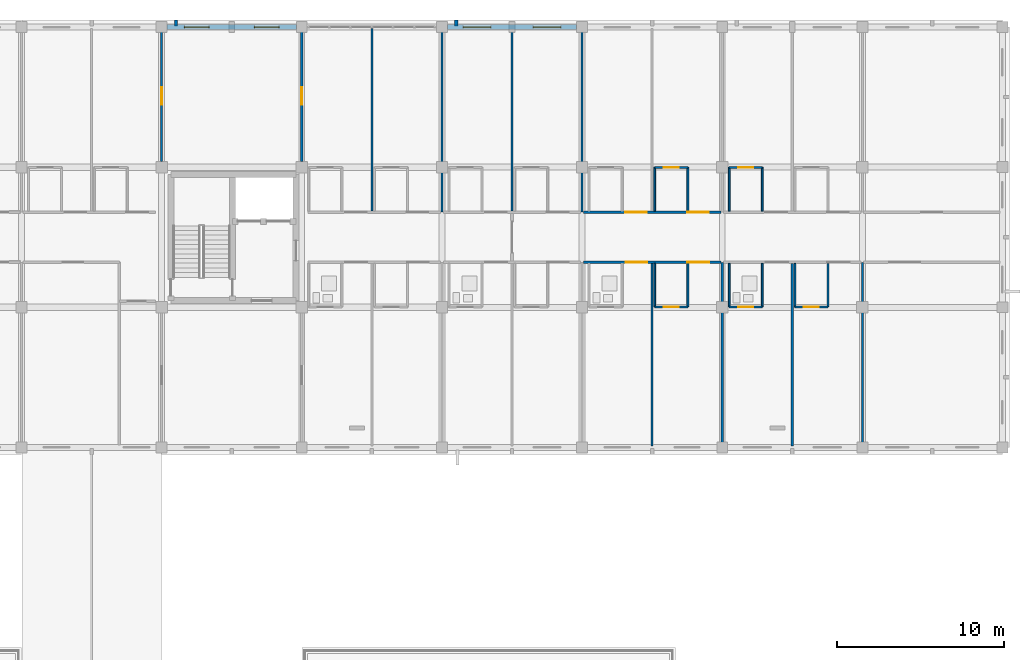
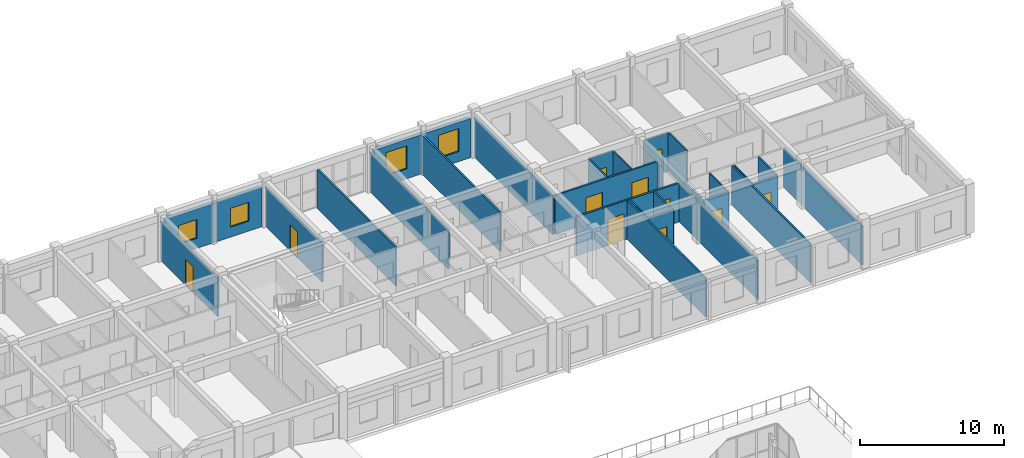
# One storey, part 75 of 90: 31 walls, 11 doors, 4 windows, 15 openings.
"""IFC4 building model written with IfcOpenShell, lengths in metres."""

from ifc_helpers import new_model, si_unit, direction, frame, frame_2d, origin, place, context, subcontext, project, spatial, rectangle, extrude, material, layer, layer_set, type_object, element, fill, save


model = new_model("IFC4")

# Units and contexts
model_context = context("Model", 3, precision=1e-05, world=origin(), true_north=direction((0.0, 1.0)))
body_context = subcontext(model_context, "Body", "Model", "MODEL_VIEW")
ifc_project = project(units=[si_unit("LENGTHUNIT", "METRE"), si_unit("AREAUNIT", "SQUARE_METRE"), si_unit("VOLUMEUNIT", "CUBIC_METRE"), si_unit("PLANEANGLEUNIT", "RADIAN"), si_unit("MASSUNIT", "GRAM", prefix="KILO")], contexts=[model_context])

# Site, building, storey
site_placement = place(None, origin())
site = spatial("IfcSite", under=ifc_project, at=site_placement, CompositionType="ELEMENT")
building_placement = place(site_placement, origin())
building = spatial("IfcBuilding", under=site, at=building_placement, Name="Trelvath General Hospital", CompositionType="ELEMENT")
storey_placement = place(building_placement, frame((0.0, 0.0, 20.39990234375)))
storey = spatial("IfcBuildingStorey", under=building, at=storey_placement, Name="L05", CompositionType="ELEMENT", Elevation=20.39990234375)

# Walls
ifc_material_1 = material(Name="Precast concrete C40/50", Category="concrete")
ifc_layer_1 = layer(ifc_material_1, 0.199951171875)
ifc_layer_set_1 = layer_set([ifc_layer_1], Name="Precast concrete C40/50")
wall_type_1 = type_object("IfcWallType", Name="BriseSoleilRib 200", PredefinedType="ELEMENTEDWALL", material=ifc_layer_set_1)
for number, where, z_axis, x_axis, name in (
    (1, (84.86328125, 117.675048828125, 0.0), (0.0, 0.0, 1.0), (0.0, 1.0, 0.0), "Precast Concrete Brise-Soleil Rib Fin L05-389"),
    (2, (101.6630859375, 117.675048828125, 0.0), (0.0, 0.0, 1.0), (0.0, 1.0, 0.0), "Precast Concrete Brise-Soleil Rib Fin L05-395"),
):
    element("IfcWall", number, at=place(storey_placement, frame(where, z_axis=z_axis, x_axis=x_axis)), inside=storey, type_object=wall_type_1, Name=name, PredefinedType="ELEMENTEDWALL", context=body_context, shape_type="SweptSolid", body=[
        extrude(rectangle(XDim=0.33984375, YDim=0.199951171875, at=frame_2d((0.169921875, 0.0))), origin(), (0.0, 0.0, 1.0), 3.320068359375),
    ])

# Wall, openings, doors
ifc_material_2 = material(Name="Gypsum acoustic steel-stud partition", Category="steel")
ifc_layer_2 = layer(ifc_material_2, 0.14990234375)
ifc_layer_set_2 = layer_set([ifc_layer_2], Name="Gypsum acoustic steel-stud partition")
wall_type_2 = type_object("IfcWallType", Name="ClinicalPartition 150", PredefinedType="PARTITIONING", material=ifc_layer_set_2)
wall_1_placement = place(storey_placement, frame((109.280029296875, 103.5, 0.0), z_axis=(0.0, 0.0, 1.0), x_axis=(1.0, 0.0, 0.0)))
wall_1 = element("IfcWall", 3, at=wall_1_placement, inside=storey, type_object=wall_type_2, Name="Corridor Partition L05-1988", PredefinedType="PARTITIONING", context=body_context, shape_type="SweptSolid", body=[
    extrude(rectangle(XDim=8.239990234375, YDim=0.14990234375, at=frame_2d((4.1201171875, 0.0))), origin(), (0.0, 0.0, 1.0), 3.320068359375),
])
opening_1_placement = place(wall_1_placement, frame((2.530029296875, 0.0, 0.0)))
opening_1 = element("IfcOpeningElement", 4, at=opening_1_placement, cuts=wall_1, Name="Opening D-5-1285", PredefinedType="OPENING", context=body_context, shape_type="SweptSolid", body=[
    extrude(rectangle(XDim=1.300048828125, YDim=2.25, at=frame_2d((0.64990234375, 1.125))), frame((0.0, 0.0849609375, 0.0), z_axis=(0.0, -1.0, 0.0), x_axis=(1.0, 0.0, 0.0)), (0.0, 0.0, 1.0), 0.169921875),
])
opening_2_placement = place(wall_1_placement, frame((6.22998046875, 0.0, 0.0)))
opening_2 = element("IfcOpeningElement", 5, at=opening_2_placement, cuts=wall_1, Name="Opening D-5-1286", PredefinedType="OPENING", context=body_context, shape_type="SweptSolid", body=[
    extrude(rectangle(XDim=1.300048828125, YDim=2.25, at=frame_2d((0.64990234375, 1.125))), frame((0.0, 0.0849609375, 0.0), z_axis=(0.0, -1.0, 0.0), x_axis=(1.0, 0.0, 0.0)), (0.0, 0.0, 1.0), 0.169921875),
])
ifc_material_3 = material(Name="Hospital bed-leaf timber door", Category="wood")
door_type_1 = type_object("IfcDoorType", Name="Door PatientBed 1300x2250", OperationType="NOTDEFINED", PredefinedType="DOOR", material=ifc_material_3)
door_1_placement = place(opening_1_placement, origin())
door_1 = element("IfcDoor", 6, at=door_1_placement, inside=storey, type_object=door_type_1, Name="Patient Room Door L05-1285", OperationType="SINGLE_SWING_RIGHT", OverallHeight=2.25, OverallWidth=1.300048828125, PredefinedType="DOOR", context=body_context, shape_type="SweptSolid", body=[
    extrude(rectangle(XDim=1.300048828125, YDim=2.25, at=frame_2d((0.64990234375, 1.125))), frame((0.0, 0.02490234375, 0.0), z_axis=(0.0, -1.0, 0.0), x_axis=(1.0, 0.0, 0.0)), (0.0, 0.0, 1.0), 0.050048828125),
])
fill(opening_1, door_1)
door_2_placement = place(opening_2_placement, origin())
door_2 = element("IfcDoor", 7, at=door_2_placement, inside=storey, type_object=door_type_1, Name="Patient Room Door L05-1286", OperationType="SINGLE_SWING_LEFT", OverallHeight=2.25, OverallWidth=1.300048828125, PredefinedType="DOOR", context=body_context, shape_type="SweptSolid", body=[
    extrude(rectangle(XDim=1.300048828125, YDim=2.25, at=frame_2d((0.64990234375, 1.125))), frame((0.0, 0.02490234375, 0.0), z_axis=(0.0, -1.0, 0.0), x_axis=(1.0, 0.0, 0.0)), (0.0, 0.0, 1.0), 0.050048828125),
])
fill(opening_2, door_2)

wall_2_placement = place(storey_placement, frame((117.52001953125, 106.5, 0.0), z_axis=(0.0, 0.0, 1.0), x_axis=(-1.0, 0.0, 0.0)))
wall_2 = element("IfcWall", 8, at=wall_2_placement, inside=storey, type_object=wall_type_2, Name="Corridor Partition N L05-1996", PredefinedType="PARTITIONING", context=body_context, shape_type="SweptSolid", body=[
    extrude(rectangle(XDim=8.239990234375, YDim=0.14990234375, at=frame_2d((4.1201171875, 0.0))), origin(), (0.0, 0.0, 1.0), 3.320068359375),
])
opening_3_placement = place(wall_2_placement, frame((0.72998046875, 0.0, 0.0)))
opening_3 = element("IfcOpeningElement", 9, at=opening_3_placement, cuts=wall_2, Name="Opening D-5-1289", PredefinedType="OPENING", context=body_context, shape_type="SweptSolid", body=[
    extrude(rectangle(XDim=1.300048828125, YDim=2.25, at=frame_2d((0.64990234375, 1.125))), frame((0.0, 0.0849609375, 0.0), z_axis=(0.0, -1.0, 0.0), x_axis=(1.0, 0.0, 0.0)), (0.0, 0.0, 1.0), 0.169921875),
])
opening_4_placement = place(wall_2_placement, frame((4.429931640625, 0.0, 0.0)))
opening_4 = element("IfcOpeningElement", 10, at=opening_4_placement, cuts=wall_2, Name="Opening D-5-1290", PredefinedType="OPENING", context=body_context, shape_type="SweptSolid", body=[
    extrude(rectangle(XDim=1.300048828125, YDim=2.25, at=frame_2d((0.64990234375, 1.125))), frame((0.0, 0.0849609375, 0.0), z_axis=(0.0, -1.0, 0.0), x_axis=(1.0, 0.0, 0.0)), (0.0, 0.0, 1.0), 0.169921875),
])
door_3_placement = place(opening_3_placement, origin())
door_3 = element("IfcDoor", 11, at=door_3_placement, inside=storey, type_object=door_type_1, Name="Patient Room Door N L05-1289", OperationType="SINGLE_SWING_RIGHT", OverallHeight=2.25, OverallWidth=1.300048828125, PredefinedType="DOOR", context=body_context, shape_type="SweptSolid", body=[
    extrude(rectangle(XDim=1.300048828125, YDim=2.25, at=frame_2d((0.64990234375, 1.125))), frame((0.0, 0.02490234375, 0.0), z_axis=(0.0, -1.0, 0.0), x_axis=(1.0, 0.0, 0.0)), (0.0, 0.0, 1.0), 0.050048828125),
])
fill(opening_3, door_3)
door_4_placement = place(opening_4_placement, origin())
door_4 = element("IfcDoor", 12, at=door_4_placement, inside=storey, type_object=door_type_1, Name="Patient Room Door N L05-1290", OperationType="SINGLE_SWING_RIGHT", OverallHeight=2.25, OverallWidth=1.300048828125, PredefinedType="DOOR", context=body_context, shape_type="SweptSolid", body=[
    extrude(rectangle(XDim=1.300048828125, YDim=2.25, at=frame_2d((0.64990234375, 1.125))), frame((0.0, 0.02490234375, 0.0), z_axis=(0.0, -1.0, 0.0), x_axis=(1.0, 0.0, 0.0)), (0.0, 0.0, 1.0), 0.050048828125),
])
fill(opening_4, door_4)

# Walls
ifc_material_4 = material(Name="Moisture-resistant tile partition")
ifc_layer_3 = layer(ifc_material_4, 0.110107421875)
ifc_layer_set_3 = layer_set([ifc_layer_3], Name="Moisture-resistant tile partition")
wall_type_3 = type_object("IfcWallType", Name="EnSuiteWetWall 110", PredefinedType="PARTITIONING", material=ifc_layer_set_3)
for number, where, z_axis, x_axis, name in (
    (13, (113.56005859375, 100.820068359375, 0.0), (0.0, 0.0, 1.0), (0.0, 1.0, 0.0), "En-Suite W Wall L05-1993"),
    (14, (115.5400390625, 100.820068359375, 0.0), (0.0, 0.0, 1.0), (0.0, 1.0, 0.0), "En-Suite E Wall L05-1994"),
):
    element("IfcWall", number, at=place(storey_placement, frame(where, z_axis=z_axis, x_axis=x_axis)), inside=storey, type_object=wall_type_3, Name=name, PredefinedType="PARTITIONING", context=body_context, shape_type="SweptSolid", body=[
        extrude(rectangle(XDim=2.60986328125, YDim=0.110107421875, at=frame_2d((1.304931640625, 0.0))), origin(), (0.0, 0.0, 1.0), 3.320068359375),
    ])

# Wall, opening, door
wall_3_placement = place(storey_placement, frame((113.56005859375, 100.820068359375, 0.0), z_axis=(0.0, 0.0, 1.0), x_axis=(1.0, 0.0, 0.0)))
wall_3 = element("IfcWall", 15, at=wall_3_placement, inside=storey, type_object=wall_type_3, Name="En-Suite Bathroom Partition L05-1995", PredefinedType="PARTITIONING", context=body_context, shape_type="SweptSolid", body=[
    extrude(rectangle(XDim=1.97998046875, YDim=0.110107421875, at=frame_2d((0.989990234375, 0.0))), origin(), (0.0, 0.0, 1.0), 3.320068359375),
])
opening_5_placement = place(wall_3_placement, frame((0.5400390625, 0.0, 0.0)))
opening_5 = element("IfcOpeningElement", 16, at=opening_5_placement, cuts=wall_3, Name="Opening D-5-1288", PredefinedType="OPENING", context=body_context, shape_type="SweptSolid", body=[
    extrude(rectangle(XDim=0.89990234375, YDim=2.10009765625, at=frame_2d((0.449951171875, 1.050048828125))), frame((0.0, 0.06494140625, 0.0), z_axis=(0.0, -1.0, 0.0), x_axis=(1.0, 0.0, 0.0)), (0.0, 0.0, 1.0), 0.130126953125),
])
ifc_material_5 = material(Name="Moisture-sealed timber leaf", Category="wood")
door_type_2 = type_object("IfcDoorType", Name="Door EnSuite 900x2100", OperationType="NOTDEFINED", PredefinedType="DOOR", material=ifc_material_5)
door_5_placement = place(opening_5_placement, origin())
door_5 = element("IfcDoor", 17, at=door_5_placement, inside=storey, type_object=door_type_2, Name="En-Suite Bathroom Door L05-1288", OperationType="SINGLE_SWING_LEFT", OverallHeight=2.10009765625, OverallWidth=0.89990234375, PredefinedType="DOOR", context=body_context, shape_type="SweptSolid", body=[
    extrude(rectangle(XDim=0.89990234375, YDim=2.10009765625, at=frame_2d((0.449951171875, 1.050048828125))), frame((0.0, 0.02490234375, 0.0), z_axis=(0.0, -1.0, 0.0), x_axis=(1.0, 0.0, 0.0)), (0.0, 0.0, 1.0), 0.050048828125),
])
fill(opening_5, door_5)

# Walls
for number, where, z_axis, x_axis, name in (
    (18, (113.56005859375, 106.570068359375, 0.0), (0.0, 0.0, 1.0), (0.0, 1.0, 0.0), "En-Suite W Wall N L05-2001"),
    (19, (115.5400390625, 106.570068359375, 0.0), (0.0, 0.0, 1.0), (0.0, 1.0, 0.0), "En-Suite E Wall N L05-2002"),
):
    element("IfcWall", number, at=place(storey_placement, frame(where, z_axis=z_axis, x_axis=x_axis)), inside=storey, type_object=wall_type_3, Name=name, PredefinedType="PARTITIONING", context=body_context, shape_type="SweptSolid", body=[
        extrude(rectangle(XDim=2.60986328125, YDim=0.110107421875, at=frame_2d((1.304931640625, 0.0))), origin(), (0.0, 0.0, 1.0), 3.320068359375),
    ])

# Wall, opening, door
wall_4_placement = place(storey_placement, frame((113.56005859375, 109.179931640625, 0.0), z_axis=(0.0, 0.0, 1.0), x_axis=(1.0, 0.0, 0.0)))
wall_4 = element("IfcWall", 20, at=wall_4_placement, inside=storey, type_object=wall_type_3, Name="En-Suite Bathroom N Partition L05-2003", PredefinedType="PARTITIONING", context=body_context, shape_type="SweptSolid", body=[
    extrude(rectangle(XDim=1.97998046875, YDim=0.110107421875, at=frame_2d((0.989990234375, 0.0))), origin(), (0.0, 0.0, 1.0), 3.320068359375),
])
opening_6_placement = place(wall_4_placement, frame((0.5400390625, 0.0, 0.0)))
opening_6 = element("IfcOpeningElement", 21, at=opening_6_placement, cuts=wall_4, Name="Opening D-5-1292", PredefinedType="OPENING", context=body_context, shape_type="SweptSolid", body=[
    extrude(rectangle(XDim=0.89990234375, YDim=2.10009765625, at=frame_2d((0.449951171875, 1.050048828125))), frame((0.0, 0.06494140625, 0.0), z_axis=(0.0, -1.0, 0.0), x_axis=(1.0, 0.0, 0.0)), (0.0, 0.0, 1.0), 0.130126953125),
])
door_6_placement = place(opening_6_placement, origin())
door_6 = element("IfcDoor", 22, at=door_6_placement, inside=storey, type_object=door_type_2, Name="En-Suite Bathroom N Door L05-1292", OperationType="SINGLE_SWING_RIGHT", OverallHeight=2.10009765625, OverallWidth=0.89990234375, PredefinedType="DOOR", context=body_context, shape_type="SweptSolid", body=[
    extrude(rectangle(XDim=0.89990234375, YDim=2.10009765625, at=frame_2d((0.449951171875, 1.050048828125))), frame((0.0, 0.02490234375, 0.0), z_axis=(0.0, -1.0, 0.0), x_axis=(1.0, 0.0, 0.0)), (0.0, 0.0, 1.0), 0.050048828125),
])
fill(opening_6, door_6)

# Walls
for number, where, z_axis, x_axis, name in (
    (23, (118.02001953125, 100.820068359375, 0.0), (0.0, 0.0, 1.0), (0.0, 1.0, 0.0), "En-Suite W Wall L05-2008"),
    (24, (120.0, 100.820068359375, 0.0), (0.0, 0.0, 1.0), (0.0, 1.0, 0.0), "En-Suite E Wall L05-2009"),
):
    element("IfcWall", number, at=place(storey_placement, frame(where, z_axis=z_axis, x_axis=x_axis)), inside=storey, type_object=wall_type_3, Name=name, PredefinedType="PARTITIONING", context=body_context, shape_type="SweptSolid", body=[
        extrude(rectangle(XDim=2.60986328125, YDim=0.110107421875, at=frame_2d((1.304931640625, 0.0))), origin(), (0.0, 0.0, 1.0), 3.320068359375),
    ])

# Wall, opening, door
wall_5_placement = place(storey_placement, frame((118.02001953125, 100.820068359375, 0.0), z_axis=(0.0, 0.0, 1.0), x_axis=(1.0, 0.0, 0.0)))
wall_5 = element("IfcWall", 25, at=wall_5_placement, inside=storey, type_object=wall_type_3, Name="En-Suite Bathroom Partition L05-2010", PredefinedType="PARTITIONING", context=body_context, shape_type="SweptSolid", body=[
    extrude(rectangle(XDim=1.97998046875, YDim=0.110107421875, at=frame_2d((0.989990234375, 0.0))), origin(), (0.0, 0.0, 1.0), 3.320068359375),
])
opening_7_placement = place(wall_5_placement, frame((0.5400390625, 0.0, 0.0)))
opening_7 = element("IfcOpeningElement", 26, at=opening_7_placement, cuts=wall_5, Name="Opening D-5-1295", PredefinedType="OPENING", context=body_context, shape_type="SweptSolid", body=[
    extrude(rectangle(XDim=0.89990234375, YDim=2.10009765625, at=frame_2d((0.449951171875, 1.050048828125))), frame((0.0, 0.06494140625, 0.0), z_axis=(0.0, -1.0, 0.0), x_axis=(1.0, 0.0, 0.0)), (0.0, 0.0, 1.0), 0.130126953125),
])
door_7_placement = place(opening_7_placement, origin())
door_7 = element("IfcDoor", 27, at=door_7_placement, inside=storey, type_object=door_type_2, Name="En-Suite Bathroom Door L05-1295", OperationType="SINGLE_SWING_LEFT", OverallHeight=2.10009765625, OverallWidth=0.89990234375, PredefinedType="DOOR", context=body_context, shape_type="SweptSolid", body=[
    extrude(rectangle(XDim=0.89990234375, YDim=2.10009765625, at=frame_2d((0.449951171875, 1.050048828125))), frame((0.0, 0.02490234375, 0.0), z_axis=(0.0, -1.0, 0.0), x_axis=(1.0, 0.0, 0.0)), (0.0, 0.0, 1.0), 0.050048828125),
])
fill(opening_7, door_7)

# Walls
for number, where, z_axis, x_axis, name in (
    (28, (121.9599609375, 100.820068359375, 0.0), (0.0, 0.0, 1.0), (0.0, 1.0, 0.0), "En-Suite W Wall L05-2011"),
    (29, (123.93994140625, 100.820068359375, 0.0), (0.0, 0.0, 1.0), (0.0, 1.0, 0.0), "En-Suite E Wall L05-2012"),
):
    element("IfcWall", number, at=place(storey_placement, frame(where, z_axis=z_axis, x_axis=x_axis)), inside=storey, type_object=wall_type_3, Name=name, PredefinedType="PARTITIONING", context=body_context, shape_type="SweptSolid", body=[
        extrude(rectangle(XDim=2.60986328125, YDim=0.110107421875, at=frame_2d((1.304931640625, 0.0))), origin(), (0.0, 0.0, 1.0), 3.320068359375),
    ])

# Wall, opening, door
wall_6_placement = place(storey_placement, frame((121.9599609375, 100.820068359375, 0.0), z_axis=(0.0, 0.0, 1.0), x_axis=(1.0, 0.0, 0.0)))
wall_6 = element("IfcWall", 30, at=wall_6_placement, inside=storey, type_object=wall_type_3, Name="En-Suite Bathroom Partition L05-2013", PredefinedType="PARTITIONING", context=body_context, shape_type="SweptSolid", body=[
    extrude(rectangle(XDim=1.97998046875, YDim=0.110107421875, at=frame_2d((0.989990234375, 0.0))), origin(), (0.0, 0.0, 1.0), 3.320068359375),
])
opening_8_placement = place(wall_6_placement, frame((0.5400390625, 0.0, 0.0)))
opening_8 = element("IfcOpeningElement", 31, at=opening_8_placement, cuts=wall_6, Name="Opening D-5-1296", PredefinedType="OPENING", context=body_context, shape_type="SweptSolid", body=[
    extrude(rectangle(XDim=0.89990234375, YDim=2.10009765625, at=frame_2d((0.449951171875, 1.050048828125))), frame((0.0, 0.06494140625, 0.0), z_axis=(0.0, -1.0, 0.0), x_axis=(1.0, 0.0, 0.0)), (0.0, 0.0, 1.0), 0.130126953125),
])
door_8_placement = place(opening_8_placement, origin())
door_8 = element("IfcDoor", 32, at=door_8_placement, inside=storey, type_object=door_type_2, Name="En-Suite Bathroom Door L05-1296", OperationType="SINGLE_SWING_RIGHT", OverallHeight=2.10009765625, OverallWidth=0.89990234375, PredefinedType="DOOR", context=body_context, shape_type="SweptSolid", body=[
    extrude(rectangle(XDim=0.89990234375, YDim=2.10009765625, at=frame_2d((0.449951171875, 1.050048828125))), frame((0.0, 0.02490234375, 0.0), z_axis=(0.0, -1.0, 0.0), x_axis=(1.0, 0.0, 0.0)), (0.0, 0.0, 1.0), 0.050048828125),
])
fill(opening_8, door_8)

# Walls
for number, where, z_axis, x_axis, name in (
    (33, (118.02001953125, 106.570068359375, 0.0), (0.0, 0.0, 1.0), (0.0, 1.0, 0.0), "En-Suite W Wall N L05-2017"),
    (34, (120.0, 106.570068359375, 0.0), (0.0, 0.0, 1.0), (0.0, 1.0, 0.0), "En-Suite E Wall N L05-2018"),
):
    element("IfcWall", number, at=place(storey_placement, frame(where, z_axis=z_axis, x_axis=x_axis)), inside=storey, type_object=wall_type_3, Name=name, PredefinedType="PARTITIONING", context=body_context, shape_type="SweptSolid", body=[
        extrude(rectangle(XDim=2.60986328125, YDim=0.110107421875, at=frame_2d((1.304931640625, 0.0))), origin(), (0.0, 0.0, 1.0), 3.320068359375),
    ])

# Wall, opening, door
wall_7_placement = place(storey_placement, frame((118.02001953125, 109.179931640625, 0.0), z_axis=(0.0, 0.0, 1.0), x_axis=(1.0, 0.0, 0.0)))
wall_7 = element("IfcWall", 35, at=wall_7_placement, inside=storey, type_object=wall_type_3, Name="En-Suite Bathroom N Partition L05-2019", PredefinedType="PARTITIONING", context=body_context, shape_type="SweptSolid", body=[
    extrude(rectangle(XDim=1.97998046875, YDim=0.110107421875, at=frame_2d((0.989990234375, 0.0))), origin(), (0.0, 0.0, 1.0), 3.320068359375),
])
opening_9_placement = place(wall_7_placement, frame((0.5400390625, 0.0, 0.0)))
opening_9 = element("IfcOpeningElement", 36, at=opening_9_placement, cuts=wall_7, Name="Opening D-5-1299", PredefinedType="OPENING", context=body_context, shape_type="SweptSolid", body=[
    extrude(rectangle(XDim=0.89990234375, YDim=2.10009765625, at=frame_2d((0.449951171875, 1.050048828125))), frame((0.0, 0.06494140625, 0.0), z_axis=(0.0, -1.0, 0.0), x_axis=(1.0, 0.0, 0.0)), (0.0, 0.0, 1.0), 0.130126953125),
])
door_9_placement = place(opening_9_placement, origin())
door_9 = element("IfcDoor", 37, at=door_9_placement, inside=storey, type_object=door_type_2, Name="En-Suite Bathroom N Door L05-1299", OperationType="SINGLE_SWING_RIGHT", OverallHeight=2.10009765625, OverallWidth=0.89990234375, PredefinedType="DOOR", context=body_context, shape_type="SweptSolid", body=[
    extrude(rectangle(XDim=0.89990234375, YDim=2.10009765625, at=frame_2d((0.449951171875, 1.050048828125))), frame((0.0, 0.02490234375, 0.0), z_axis=(0.0, -1.0, 0.0), x_axis=(1.0, 0.0, 0.0)), (0.0, 0.0, 1.0), 0.050048828125),
])
fill(opening_9, door_9)

# Wall, openings, windows
ifc_material_6 = material(Name="Concrete C35/45", Category="concrete")
ifc_layer_4 = layer(ifc_material_6, 0.2900390625)
ifc_layer_set_4 = layer_set([ifc_layer_4], Name="Concrete C35/45")
wall_type_4 = type_object("IfcWallType", Name="ExtBushHammeredWall 290", PredefinedType="SOLIDWALL", material=ifc_layer_set_4)
wall_8_placement = place(storey_placement, frame((84.320068359375, 117.60009765625, 0.0), z_axis=(0.0, 0.0, 1.0), x_axis=(1.0, 0.0, 0.0)))
wall_8 = element("IfcWall", 38, at=wall_8_placement, inside=storey, type_object=wall_type_4, Name="Exterior Concrete Wall L05-529", PredefinedType="SOLIDWALL", context=body_context, shape_type="SweptSolid", body=[
    extrude(rectangle(XDim=7.760009765625, YDim=0.2900390625, at=frame_2d((3.8798828125, 0.0))), origin(), (0.0, 0.0, 1.0), 3.340087890625),
])
opening_10_placement = place(wall_8_placement, frame((1.044921875, 0.0, 0.85009765625)))
opening_10 = element("IfcOpeningElement", 39, at=opening_10_placement, cuts=wall_8, Name="Opening WN-5-875", PredefinedType="OPENING", context=body_context, shape_type="SweptSolid", body=[
    extrude(rectangle(XDim=1.47998046875, YDim=1.60009765625, at=frame_2d((0.739990234375, 0.800048828125))), frame((0.0, 0.155029296875, 0.0), z_axis=(0.0, -1.0, 0.0), x_axis=(1.0, 0.0, 0.0)), (0.0, 0.0, 1.0), 0.31005859375),
])
opening_11_placement = place(wall_8_placement, frame((5.235107421875, 0.0, 0.85009765625)))
opening_11 = element("IfcOpeningElement", 40, at=opening_11_placement, cuts=wall_8, Name="Opening WN-5-876", PredefinedType="OPENING", context=body_context, shape_type="SweptSolid", body=[
    extrude(rectangle(XDim=1.47998046875, YDim=1.60009765625, at=frame_2d((0.739990234375, 0.800048828125))), frame((0.0, 0.155029296875, 0.0), z_axis=(0.0, -1.0, 0.0), x_axis=(1.0, 0.0, 0.0)), (0.0, 0.0, 1.0), 0.31005859375),
])
ifc_material_7 = material(Name="Low-E laminated glass", Category="glass")
window_type_1 = type_object("IfcWindowType", Name="Window Clinic 1480x1600", PartitioningType="DOUBLE_PANEL_VERTICAL", PredefinedType="WINDOW", material=ifc_material_7)
window_1_placement = place(opening_10_placement, origin())
window_1 = element("IfcWindow", 41, at=window_1_placement, inside=storey, type_object=window_type_1, Name="Solar Reveal Window L05-875", OverallHeight=1.60009765625, OverallWidth=1.47998046875, PartitioningType="SINGLE_PANEL", PredefinedType="WINDOW", context=body_context, shape_type="SweptSolid", body=[
    extrude(rectangle(XDim=1.47998046875, YDim=1.60009765625, at=frame_2d((0.739990234375, 0.800048828125))), frame((0.0, 0.030029296875, 0.0), z_axis=(0.0, -1.0, 0.0), x_axis=(1.0, 0.0, 0.0)), (0.0, 0.0, 1.0), 0.06005859375),
])
fill(opening_10, window_1)
window_2_placement = place(opening_11_placement, origin())
window_2 = element("IfcWindow", 42, at=window_2_placement, inside=storey, type_object=window_type_1, Name="Solar Reveal Window L05-876", OverallHeight=1.60009765625, OverallWidth=1.47998046875, PartitioningType="SINGLE_PANEL", PredefinedType="WINDOW", context=body_context, shape_type="SweptSolid", body=[
    extrude(rectangle(XDim=1.47998046875, YDim=1.60009765625, at=frame_2d((0.739990234375, 0.800048828125))), frame((0.0, 0.030029296875, 0.0), z_axis=(0.0, -1.0, 0.0), x_axis=(1.0, 0.0, 0.0)), (0.0, 0.0, 1.0), 0.06005859375),
])
fill(opening_11, window_2)

wall_9_placement = place(storey_placement, frame((101.1201171875, 117.60009765625, 0.0), z_axis=(0.0, 0.0, 1.0), x_axis=(1.0, 0.0, 0.0)))
wall_9 = element("IfcWall", 43, at=wall_9_placement, inside=storey, type_object=wall_type_4, Name="Exterior Concrete Wall L05-535", PredefinedType="SOLIDWALL", context=body_context, shape_type="SweptSolid", body=[
    extrude(rectangle(XDim=7.759765625, YDim=0.2900390625, at=frame_2d((3.8798828125, 0.0))), origin(), (0.0, 0.0, 1.0), 3.340087890625),
])
opening_12_placement = place(wall_9_placement, frame((0.954833984375, 0.0, 0.85009765625)))
opening_12 = element("IfcOpeningElement", 44, at=opening_12_placement, cuts=wall_9, Name="Opening WN-5-887", PredefinedType="OPENING", context=body_context, shape_type="SweptSolid", body=[
    extrude(rectangle(XDim=1.659912109375, YDim=1.949951171875, at=frame_2d((0.830078125, 0.97509765625))), frame((0.0, 0.155029296875, 0.0), z_axis=(0.0, -1.0, 0.0), x_axis=(1.0, 0.0, 0.0)), (0.0, 0.0, 1.0), 0.31005859375),
])
opening_13_placement = place(wall_9_placement, frame((5.145263671875, 0.0, 0.85009765625)))
opening_13 = element("IfcOpeningElement", 45, at=opening_13_placement, cuts=wall_9, Name="Opening WN-5-888", PredefinedType="OPENING", context=body_context, shape_type="SweptSolid", body=[
    extrude(rectangle(XDim=1.659912109375, YDim=1.949951171875, at=frame_2d((0.830078125, 0.97509765625))), frame((0.0, 0.155029296875, 0.0), z_axis=(0.0, -1.0, 0.0), x_axis=(1.0, 0.0, 0.0)), (0.0, 0.0, 1.0), 0.31005859375),
])
ifc_material_8 = material(Name="Low-E laminated glass", Category="glass")
window_type_2 = type_object("IfcWindowType", Name="Window Dayroom 1660x1950", PartitioningType="DOUBLE_PANEL_VERTICAL", PredefinedType="WINDOW", material=ifc_material_8)
window_3_placement = place(opening_12_placement, origin())
window_3 = element("IfcWindow", 46, at=window_3_placement, inside=storey, type_object=window_type_2, Name="Solar Reveal Window L05-887", OverallHeight=1.949951171875, OverallWidth=1.659912109375, PartitioningType="SINGLE_PANEL", PredefinedType="WINDOW", context=body_context, shape_type="SweptSolid", body=[
    extrude(rectangle(XDim=1.659912109375, YDim=1.949951171875, at=frame_2d((0.830078125, 0.97509765625))), frame((0.0, 0.030029296875, 0.0), z_axis=(0.0, -1.0, 0.0), x_axis=(1.0, 0.0, 0.0)), (0.0, 0.0, 1.0), 0.06005859375),
])
fill(opening_12, window_3)
window_4_placement = place(opening_13_placement, origin())
window_4 = element("IfcWindow", 47, at=window_4_placement, inside=storey, type_object=window_type_2, Name="Solar Reveal Window L05-888", OverallHeight=1.949951171875, OverallWidth=1.659912109375, PartitioningType="SINGLE_PANEL", PredefinedType="WINDOW", context=body_context, shape_type="SweptSolid", body=[
    extrude(rectangle(XDim=1.659912109375, YDim=1.949951171875, at=frame_2d((0.830078125, 0.97509765625))), frame((0.0, 0.030029296875, 0.0), z_axis=(0.0, -1.0, 0.0), x_axis=(1.0, 0.0, 0.0)), (0.0, 0.0, 1.0), 0.06005859375),
])
fill(opening_13, window_4)

# Wall, opening, door
ifc_material_9 = material(Name="Gypsum acoustic steel-stud partition", Category="steel")
ifc_layer_5 = layer(ifc_material_9, 0.1298828125)
ifc_layer_set_5 = layer_set([ifc_layer_5], Name="Gypsum acoustic steel-stud partition")
wall_type_5 = type_object("IfcWallType", Name="WardPartition 130", PredefinedType="PARTITIONING", material=ifc_layer_set_5)
wall_10_placement = place(storey_placement, frame((84.0, 109.550048828125, 0.0), z_axis=(0.0, 0.0, 1.0), x_axis=(0.0, 1.0, 0.0)))
wall_10 = element("IfcWall", 48, at=wall_10_placement, inside=storey, type_object=wall_type_5, Name="Inter-Bay Ward Partition N L05-1947", PredefinedType="PARTITIONING", context=body_context, shape_type="SweptSolid", body=[
    extrude(rectangle(XDim=7.909912109375, YDim=0.1298828125, at=frame_2d((3.955078125, 0.0))), origin(), (0.0, 0.0, 1.0), 3.320068359375),
])
opening_14_placement = place(wall_10_placement, frame((3.39990234375, 0.0, 0.0)))
opening_14 = element("IfcOpeningElement", 49, at=opening_14_placement, cuts=wall_10, Name="Opening D-5-1265", PredefinedType="OPENING", context=body_context, shape_type="SweptSolid", body=[
    extrude(rectangle(XDim=1.050048828125, YDim=2.199951171875, at=frame_2d((0.52490234375, 1.10009765625))), frame((0.0, 0.074951171875, 0.0), z_axis=(0.0, -1.0, 0.0), x_axis=(1.0, 0.0, 0.0)), (0.0, 0.0, 1.0), 0.14990234375),
])
ifc_material_10 = material(Name="Acoustic hospital timber leaf", Category="wood")
door_type_3 = type_object("IfcDoorType", Name="Door Consult 1050x2200", OperationType="NOTDEFINED", PredefinedType="DOOR", material=ifc_material_10)
door_10_placement = place(opening_14_placement, origin())
door_10 = element("IfcDoor", 50, at=door_10_placement, inside=storey, type_object=door_type_3, Name="Consultation Connecting Door L05-1265", OperationType="SINGLE_SWING_LEFT", OverallHeight=2.199951171875, OverallWidth=1.050048828125, PredefinedType="DOOR", context=body_context, shape_type="SweptSolid", body=[
    extrude(rectangle(XDim=1.050048828125, YDim=2.199951171875, at=frame_2d((0.52490234375, 1.10009765625))), frame((0.0, 0.02490234375, 0.0), z_axis=(0.0, -1.0, 0.0), x_axis=(1.0, 0.0, 0.0)), (0.0, 0.0, 1.0), 0.050048828125),
])
fill(opening_14, door_10)

wall_11_placement = place(storey_placement, frame((92.39990234375, 109.550048828125, 0.0), z_axis=(0.0, 0.0, 1.0), x_axis=(0.0, 1.0, 0.0)))
wall_11 = element("IfcWall", 51, at=wall_11_placement, inside=storey, type_object=wall_type_5, Name="Inter-Bay Ward Partition N L05-1949", PredefinedType="PARTITIONING", context=body_context, shape_type="SweptSolid", body=[
    extrude(rectangle(XDim=7.909912109375, YDim=0.1298828125, at=frame_2d((3.955078125, 0.0))), origin(), (0.0, 0.0, 1.0), 3.320068359375),
])
opening_15_placement = place(wall_11_placement, frame((3.39990234375, 0.0, 0.0)))
opening_15 = element("IfcOpeningElement", 52, at=opening_15_placement, cuts=wall_11, Name="Opening D-5-1267", PredefinedType="OPENING", context=body_context, shape_type="SweptSolid", body=[
    extrude(rectangle(XDim=1.050048828125, YDim=2.199951171875, at=frame_2d((0.52490234375, 1.10009765625))), frame((0.0, 0.074951171875, 0.0), z_axis=(0.0, -1.0, 0.0), x_axis=(1.0, 0.0, 0.0)), (0.0, 0.0, 1.0), 0.14990234375),
])
door_11_placement = place(opening_15_placement, origin())
door_11 = element("IfcDoor", 53, at=door_11_placement, inside=storey, type_object=door_type_3, Name="Consultation Connecting Door L05-1267", OperationType="SINGLE_SWING_LEFT", OverallHeight=2.199951171875, OverallWidth=1.050048828125, PredefinedType="DOOR", context=body_context, shape_type="SweptSolid", body=[
    extrude(rectangle(XDim=1.050048828125, YDim=2.199951171875, at=frame_2d((0.52490234375, 1.10009765625))), frame((0.0, 0.02490234375, 0.0), z_axis=(0.0, -1.0, 0.0), x_axis=(1.0, 0.0, 0.0)), (0.0, 0.0, 1.0), 0.050048828125),
])
fill(opening_15, door_11)

# Walls
wall_12_placement = place(storey_placement, frame((96.60009765625, 106.570068359375, 0.0), z_axis=(0.0, 0.0, 1.0), x_axis=(0.0, 1.0, 0.0)))
element("IfcWall", 54, at=wall_12_placement, inside=storey, type_object=wall_type_5, Name="Room Dividing Partition N L05-1960", PredefinedType="PARTITIONING", context=body_context, shape_type="SweptSolid", body=[
    extrude(rectangle(XDim=10.929931640625, YDim=0.1298828125, at=frame_2d((5.46484375, 0.0))), origin(), (0.0, 0.0, 1.0), 3.320068359375),
])
wall_13_placement = place(storey_placement, frame((100.800048828125, 106.52001953125, 0.0), z_axis=(0.0, 0.0, 1.0), x_axis=(0.0, 1.0, 0.0)))
element("IfcWall", 55, at=wall_13_placement, inside=storey, type_object=wall_type_5, Name="Inter-Bay Ward Partition N L05-1968", PredefinedType="PARTITIONING", context=body_context, shape_type="SweptSolid", body=[
    extrude(rectangle(XDim=10.93994140625, YDim=0.1298828125, at=frame_2d((5.469970703125, 0.0))), origin(), (0.0, 0.0, 1.0), 3.320068359375),
])
wall_14_placement = place(storey_placement, frame((105.0, 106.570068359375, 0.0), z_axis=(0.0, 0.0, 1.0), x_axis=(0.0, 1.0, 0.0)))
element("IfcWall", 56, at=wall_14_placement, inside=storey, type_object=wall_type_5, Name="Room Dividing Partition N L05-1978", PredefinedType="PARTITIONING", context=body_context, shape_type="SweptSolid", body=[
    extrude(rectangle(XDim=10.929931640625, YDim=0.1298828125, at=frame_2d((5.46484375, 0.0))), origin(), (0.0, 0.0, 1.0), 3.320068359375),
])
wall_15_placement = place(storey_placement, frame((109.199951171875, 106.52001953125, 0.0), z_axis=(0.0, 0.0, 1.0), x_axis=(0.0, 1.0, 0.0)))
element("IfcWall", 57, at=wall_15_placement, inside=storey, type_object=wall_type_5, Name="Inter-Bay Ward Partition N L05-1987", PredefinedType="PARTITIONING", context=body_context, shape_type="SweptSolid", body=[
    extrude(rectangle(XDim=10.93994140625, YDim=0.1298828125, at=frame_2d((5.469970703125, 0.0))), origin(), (0.0, 0.0, 1.0), 3.320068359375),
])
wall_16_placement = place(storey_placement, frame((113.39990234375, 92.5, 0.0), z_axis=(0.0, 0.0, 1.0), x_axis=(0.0, 1.0, 0.0)))
element("IfcWall", 58, at=wall_16_placement, inside=storey, type_object=wall_type_5, Name="Room Dividing Partition S L05-1989", PredefinedType="PARTITIONING", context=body_context, shape_type="SweptSolid", body=[
    extrude(rectangle(XDim=10.929931640625, YDim=0.1298828125, at=frame_2d((5.46484375, 0.0))), origin(), (0.0, 0.0, 1.0), 3.320068359375),
])
wall_17_placement = place(storey_placement, frame((117.60009765625, 92.5400390625, 0.0), z_axis=(0.0, 0.0, 1.0), x_axis=(0.0, 1.0, 0.0)))
element("IfcWall", 59, at=wall_17_placement, inside=storey, type_object=wall_type_5, Name="Inter-Bay Ward Partition S L05-2004", PredefinedType="PARTITIONING", context=body_context, shape_type="SweptSolid", body=[
    extrude(rectangle(XDim=10.93994140625, YDim=0.1298828125, at=frame_2d((5.469970703125, 0.0))), origin(), (0.0, 0.0, 1.0), 3.320068359375),
])
wall_18_placement = place(storey_placement, frame((121.800048828125, 92.5, 0.0), z_axis=(0.0, 0.0, 1.0), x_axis=(0.0, 1.0, 0.0)))
element("IfcWall", 60, at=wall_18_placement, inside=storey, type_object=wall_type_5, Name="Room Dividing Partition S L05-2007", PredefinedType="PARTITIONING", context=body_context, shape_type="SweptSolid", body=[
    extrude(rectangle(XDim=10.929931640625, YDim=0.1298828125, at=frame_2d((5.46484375, 0.0))), origin(), (0.0, 0.0, 1.0), 3.320068359375),
])
wall_19_placement = place(storey_placement, frame((126.0, 92.5400390625, 0.0), z_axis=(0.0, 0.0, 1.0), x_axis=(0.0, 1.0, 0.0)))
element("IfcWall", 61, at=wall_19_placement, inside=storey, type_object=wall_type_5, Name="Inter-Bay Ward Partition S L05-2023", PredefinedType="PARTITIONING", context=body_context, shape_type="SweptSolid", body=[
    extrude(rectangle(XDim=10.93994140625, YDim=0.1298828125, at=frame_2d((5.469970703125, 0.0))), origin(), (0.0, 0.0, 1.0), 3.320068359375),
])

save(model, "model.ifc")
